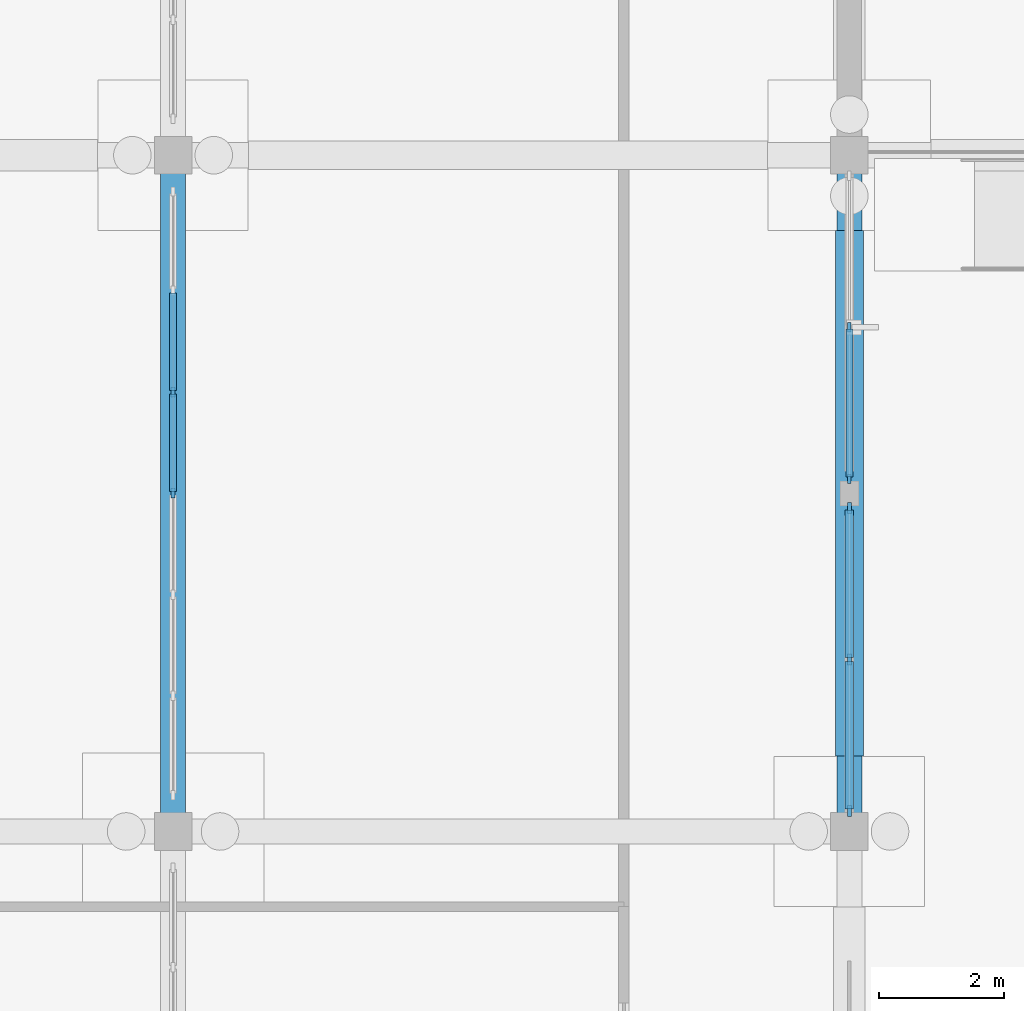
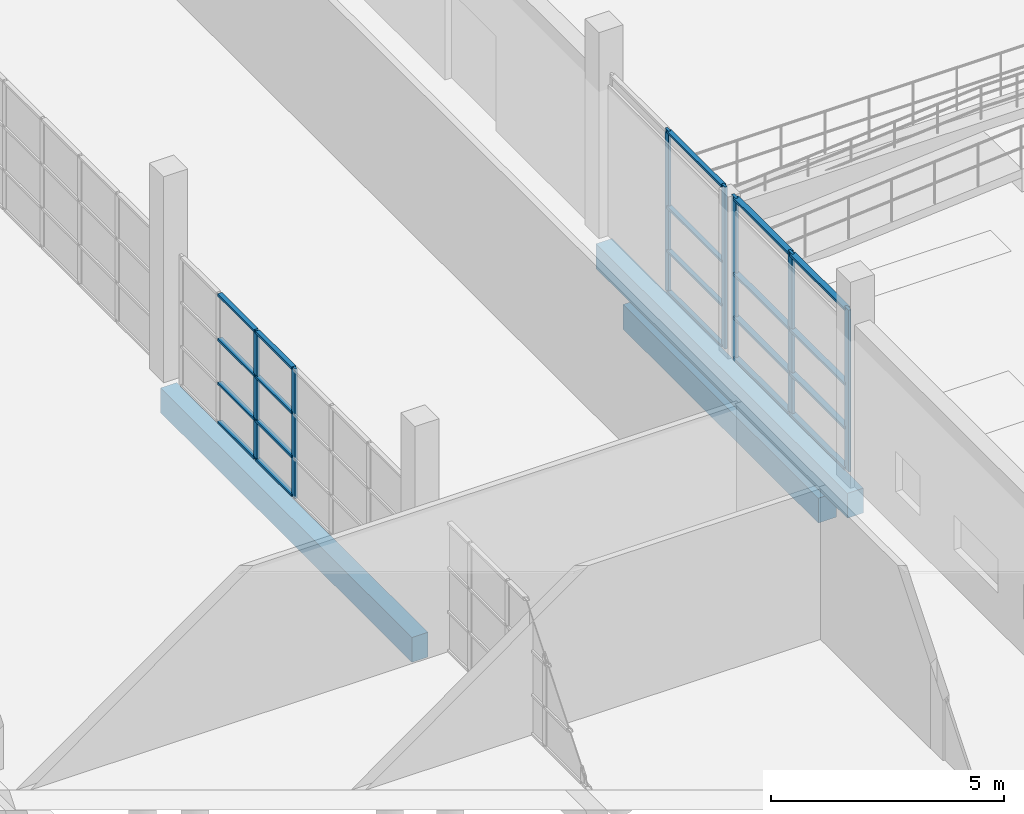
# One storey, part 21 of 138: 27 members, 3 beams, 3 elements without a shape of their own.
"""IFC4 building model written with IfcOpenShell, lengths in metres."""

from ifc_helpers import new_model, si_unit, direction, frame, origin, origin_2d, place, context, subcontext, project, spatial, rectangle, extrude, material, material_profile, profile_set, type_object, element, aggregate, save


model = new_model("IFC4")

# Units and contexts
model_context = context("Model", 3, precision=1e-05, world=origin(), true_north=direction((0.0, 1.0)))
body_context = subcontext(model_context, "Body", "Model", "MODEL_VIEW")
ifc_project = project(units=[si_unit("LENGTHUNIT", "METRE"), si_unit("AREAUNIT", "SQUARE_METRE"), si_unit("VOLUMEUNIT", "CUBIC_METRE"), si_unit("PLANEANGLEUNIT", "RADIAN"), si_unit("MASSUNIT", "GRAM", prefix="KILO")], contexts=[model_context])

# Site, building, storey
site_placement = place(None, origin())
site = spatial("IfcSite", under=ifc_project, at=site_placement, CompositionType="ELEMENT")
building_placement = place(site_placement, origin())
building = spatial("IfcBuilding", under=site, at=building_placement, Name="Zwinboog Wholesale Market", CompositionType="ELEMENT")
storey_placement = place(building_placement, origin())
storey = spatial("IfcBuildingStorey", under=building, at=storey_placement, Name="L00", CompositionType="ELEMENT", Elevation=0.0)

# Beams
ifc_material_1 = material(Name="Precast concrete C45/55", Category="concrete")
ifc_material_profile_1 = material_profile(ifc_material_1, rectangle(XDim=0.39990234375, YDim=0.64990234375, at=origin_2d()), Name="PC 400x650")
ifc_profile_set_1 = profile_set([ifc_material_profile_1], Name="Precast concrete C45/55")
beam_type_1 = type_object("IfcBeamType", Name="BT-05", PredefinedType="BEAM", material=ifc_profile_set_1)
for number, where, z_axis, x_axis, name in (
    (1, (32.39990234375, 21.60009765625, -0.675048828125), (0.0, 1.0, 0.0), (-1.0, 0.0, 0.0), "BG-05 (BMG-L00-0324-0216-0249)"),
    (2, (43.199951171875, 21.60009765625, -0.675048828125), (0.0, 1.0, 0.0), (-1.0, 0.0, 0.0), "BG-05 (BMG-L00-0432-0216-0261)"),
):
    element("IfcBeam", number, at=place(storey_placement, frame(where, z_axis=z_axis, x_axis=x_axis)), inside=storey, type_object=beam_type_1, Name=name, PredefinedType="BEAM", context=body_context, shape_type="SweptSolid", body=[
        extrude(rectangle(XDim=0.39990234375, YDim=0.64990234375, at=origin_2d()), origin(), (0.0, 0.0, 1.0), 10.7998046875),
    ])
ifc_material_2 = material(Name="Concrete C35/45", Category="concrete")
ifc_material_profile_2 = material_profile(ifc_material_2, rectangle(XDim=0.449951171875, YDim=0.64990234375, at=origin_2d()), Name="RC 450x650")
ifc_profile_set_2 = profile_set([ifc_material_profile_2], Name="Concrete C35/45")
beam_type_2 = type_object("IfcBeamType", Name="BT-13", PredefinedType="USERDEFINED", material=ifc_profile_set_2)
beam_placement = place(storey_placement, frame((43.199951171875, 22.804931640625, -1.52490234375), z_axis=(0.0, 1.0, 0.0), x_axis=(-1.0, 0.0, 0.0)))
element("IfcBeam", 3, at=beam_placement, inside=storey, type_object=beam_type_2, Name="GB-02 (BM-GB-0141)", ObjectType="GROUND_BEAM", PredefinedType="USERDEFINED", context=body_context, shape_type="SweptSolid", body=[
    extrude(rectangle(XDim=0.449951171875, YDim=0.64990234375, at=origin_2d()), origin(), (0.0, 0.0, 1.0), 8.39013671875),
])

# Curtain wall, members
ifc_material_3 = material(Name="Aluminium thermally broken curtain wall", Category="aluminium")
curtain_wall_type_1 = type_object("IfcCurtainWallType", Name="CWT-CAFE-22", PredefinedType="USERDEFINED", material=ifc_material_3)
curtain_wall_1_placement = place(storey_placement, origin())
curtain_wall_1 = element("IfcCurtainWall", 4, at=curtain_wall_1_placement, inside=storey, type_object=curtain_wall_type_1, Name="CW-05 (CW-L00-023)", ObjectType="STOREFRONT_GLAZING", PredefinedType="USERDEFINED")
ifc_material_4 = material(Name="Aluminium EN AW-6060", Category="aluminium")
ifc_material_profile_3 = material_profile(ifc_material_4, rectangle(XDim=0.06494140625, YDim=0.179931640625, at=origin_2d()), Name="AL 65x180")
ifc_profile_set_3 = profile_set([ifc_material_profile_3], Name="Aluminium EN AW-6060")
member_type_1 = type_object("IfcMemberType", Name="CWM-65x180", PredefinedType="MULLION", material=ifc_profile_set_3)
member_1_placement = place(storey_placement, frame((43.199951171875, 21.927490234375, 0.0), z_axis=(0.0, 0.0, 1.0), x_axis=(-1.0, 0.0, 0.0)))
member_1 = element("IfcMember", 5, at=member_1_placement, type_object=member_type_1, Name="CW-05 mullion 1", PredefinedType="MULLION", context=body_context, shape_type="SweptSolid", body=[
    extrude(rectangle(XDim=0.06494140625, YDim=0.179931640625, at=origin_2d()), origin(), (0.0, 0.0, 1.0), 4.25),
])
member_2_placement = place(storey_placement, frame((43.199951171875, 24.347412109375, 0.0), z_axis=(0.0, 0.0, 1.0), x_axis=(-1.0, 0.0, 0.0)))
member_2 = element("IfcMember", 6, at=member_2_placement, type_object=member_type_1, Name="CW-05 mullion 2", PredefinedType="MULLION", context=body_context, shape_type="SweptSolid", body=[
    extrude(rectangle(XDim=0.06494140625, YDim=0.179931640625, at=origin_2d()), origin(), (0.0, 0.0, 1.0), 4.25),
])
member_3_placement = place(storey_placement, frame((43.199951171875, 26.767578125, 0.0), z_axis=(0.0, 0.0, 1.0), x_axis=(-1.0, 0.0, 0.0)))
member_3 = element("IfcMember", 7, at=member_3_placement, type_object=member_type_1, Name="CW-05 mullion 3", PredefinedType="MULLION", context=body_context, shape_type="SweptSolid", body=[
    extrude(rectangle(XDim=0.06494140625, YDim=0.179931640625, at=origin_2d()), origin(), (0.0, 0.0, 1.0), 4.25),
])

curtain_wall_type_2 = type_object("IfcCurtainWallType", Name="CWT-OFF-15", PredefinedType="USERDEFINED", material=ifc_material_3)
curtain_wall_2_placement = place(storey_placement, origin())
curtain_wall_2 = element("IfcCurtainWall", 8, at=curtain_wall_2_placement, inside=storey, type_object=curtain_wall_type_2, Name="CW-06 (CW-L00-024)", ObjectType="UNITIZED_CURTAIN_WALL", PredefinedType="USERDEFINED")
ifc_material_profile_4 = material_profile(ifc_material_4, rectangle(XDim=0.06005859375, YDim=0.14990234375, at=origin_2d()), Name="AL 60x150")
ifc_profile_set_4 = profile_set([ifc_material_profile_4], Name="Aluminium EN AW-6060")
member_type_2 = type_object("IfcMemberType", Name="CWM-60x150", PredefinedType="MULLION", material=ifc_profile_set_4)
member_4_placement = place(storey_placement, frame((43.199951171875, 27.22998046875, 0.0), z_axis=(0.0, 0.0, 1.0), x_axis=(-1.0, 0.0, 0.0)))
member_4 = element("IfcMember", 9, at=member_4_placement, type_object=member_type_2, Name="CW-06 mullion 1", PredefinedType="MULLION", context=body_context, shape_type="SweptSolid", body=[
    extrude(rectangle(XDim=0.06005859375, YDim=0.14990234375, at=origin_2d()), origin(), (0.0, 0.0, 1.0), 4.25),
])
member_5_placement = place(storey_placement, frame((43.199951171875, 29.652587890625, 0.0), z_axis=(0.0, 0.0, 1.0), x_axis=(-1.0, 0.0, 0.0)))
member_5 = element("IfcMember", 10, at=member_5_placement, type_object=member_type_2, Name="CW-06 mullion 2", PredefinedType="MULLION", context=body_context, shape_type="SweptSolid", body=[
    extrude(rectangle(XDim=0.06005859375, YDim=0.14990234375, at=origin_2d()), origin(), (0.0, 0.0, 1.0), 4.25),
])

# Member
ifc_material_profile_5 = material_profile(ifc_material_4, rectangle(XDim=0.139892578125, YDim=0.06494140625, at=origin_2d()), Name="AL 65x140")
ifc_profile_set_5 = profile_set([ifc_material_profile_5], Name="Aluminium EN AW-6060")
member_type_3 = type_object("IfcMemberType", Name="CWT-65x140", PredefinedType="USERDEFINED", material=ifc_profile_set_5)
member_6_placement = place(storey_placement, frame((43.199951171875, 21.9599609375, 0.032470703125), z_axis=(0.0, 1.0, 0.0), x_axis=(-1.0, 0.0, 0.0)))
member_6 = element("IfcMember", 11, at=member_6_placement, type_object=member_type_3, Name="CW-05 transom 1.1", ObjectType="TRANSOM", PredefinedType="USERDEFINED", context=body_context, shape_type="SweptSolid", body=[
    extrude(rectangle(XDim=0.139892578125, YDim=0.06494140625, at=origin_2d()), origin(), (0.0, 0.0, 1.0), 2.35498046875),
])

member_7_placement = place(storey_placement, frame((43.199951171875, 21.9599609375, 1.10009765625), z_axis=(0.0, 1.0, 0.0), x_axis=(-1.0, 0.0, 0.0)))
member_7 = element("IfcMember", 12, at=member_7_placement, type_object=member_type_3, Name="CW-05 transom 1.2", ObjectType="TRANSOM", PredefinedType="USERDEFINED", context=body_context, shape_type="SweptSolid", body=[
    extrude(rectangle(XDim=0.139892578125, YDim=0.06494140625, at=origin_2d()), origin(), (0.0, 0.0, 1.0), 2.35498046875),
])

member_8_placement = place(storey_placement, frame((43.199951171875, 21.9599609375, 2.25), z_axis=(0.0, 1.0, 0.0), x_axis=(-1.0, 0.0, 0.0)))
member_8 = element("IfcMember", 13, at=member_8_placement, type_object=member_type_3, Name="CW-05 transom 1.3", ObjectType="TRANSOM", PredefinedType="USERDEFINED", context=body_context, shape_type="SweptSolid", body=[
    extrude(rectangle(XDim=0.139892578125, YDim=0.06494140625, at=origin_2d()), origin(), (0.0, 0.0, 1.0), 2.35498046875),
])

member_9_placement = place(storey_placement, frame((43.199951171875, 21.9599609375, 4.217529296875), z_axis=(0.0, 1.0, 0.0), x_axis=(-1.0, 0.0, 0.0)))
member_9 = element("IfcMember", 14, at=member_9_placement, type_object=member_type_3, Name="CW-05 transom 1.4", ObjectType="TRANSOM", PredefinedType="USERDEFINED", context=body_context, shape_type="SweptSolid", body=[
    extrude(rectangle(XDim=0.139892578125, YDim=0.06494140625, at=origin_2d()), origin(), (0.0, 0.0, 1.0), 2.35498046875),
])

member_10_placement = place(storey_placement, frame((43.199951171875, 24.3798828125, 0.032470703125), z_axis=(0.0, 1.0, 0.0), x_axis=(-1.0, 0.0, 0.0)))
member_10 = element("IfcMember", 15, at=member_10_placement, type_object=member_type_3, Name="CW-05 transom 2.1", ObjectType="TRANSOM", PredefinedType="USERDEFINED", context=body_context, shape_type="SweptSolid", body=[
    extrude(rectangle(XDim=0.139892578125, YDim=0.06494140625, at=origin_2d()), origin(), (0.0, 0.0, 1.0), 2.355224609375),
])

member_11_placement = place(storey_placement, frame((43.199951171875, 24.3798828125, 1.10009765625), z_axis=(0.0, 1.0, 0.0), x_axis=(-1.0, 0.0, 0.0)))
member_11 = element("IfcMember", 16, at=member_11_placement, type_object=member_type_3, Name="CW-05 transom 2.2", ObjectType="TRANSOM", PredefinedType="USERDEFINED", context=body_context, shape_type="SweptSolid", body=[
    extrude(rectangle(XDim=0.139892578125, YDim=0.06494140625, at=origin_2d()), origin(), (0.0, 0.0, 1.0), 2.355224609375),
])

member_12_placement = place(storey_placement, frame((43.199951171875, 24.3798828125, 2.25), z_axis=(0.0, 1.0, 0.0), x_axis=(-1.0, 0.0, 0.0)))
member_12 = element("IfcMember", 17, at=member_12_placement, type_object=member_type_3, Name="CW-05 transom 2.3", ObjectType="TRANSOM", PredefinedType="USERDEFINED", context=body_context, shape_type="SweptSolid", body=[
    extrude(rectangle(XDim=0.139892578125, YDim=0.06494140625, at=origin_2d()), origin(), (0.0, 0.0, 1.0), 2.355224609375),
])

member_13_placement = place(storey_placement, frame((43.199951171875, 24.3798828125, 4.217529296875), z_axis=(0.0, 1.0, 0.0), x_axis=(-1.0, 0.0, 0.0)))
member_13 = element("IfcMember", 18, at=member_13_placement, type_object=member_type_3, Name="CW-05 transom 2.4", ObjectType="TRANSOM", PredefinedType="USERDEFINED", context=body_context, shape_type="SweptSolid", body=[
    extrude(rectangle(XDim=0.139892578125, YDim=0.06494140625, at=origin_2d()), origin(), (0.0, 0.0, 1.0), 2.355224609375),
])

aggregate(curtain_wall_1, [member_1, member_2, member_3, member_6, member_7, member_8, member_9, member_10, member_11, member_12, member_13])

ifc_material_profile_6 = material_profile(ifc_material_4, rectangle(XDim=0.110107421875, YDim=0.06005859375, at=origin_2d()), Name="AL 60x110")
ifc_profile_set_6 = profile_set([ifc_material_profile_6], Name="Aluminium EN AW-6060")
member_type_4 = type_object("IfcMemberType", Name="CWT-60x110", PredefinedType="USERDEFINED", material=ifc_profile_set_6)
member_14_placement = place(storey_placement, frame((43.199951171875, 27.260009765625, 0.030029296875), z_axis=(0.0, 1.0, 0.0), x_axis=(-1.0, 0.0, 0.0)))
member_14 = element("IfcMember", 19, at=member_14_placement, type_object=member_type_4, Name="CW-06 transom 1.1", ObjectType="TRANSOM", PredefinedType="USERDEFINED", context=body_context, shape_type="SweptSolid", body=[
    extrude(rectangle(XDim=0.110107421875, YDim=0.06005859375, at=origin_2d()), origin(), (0.0, 0.0, 1.0), 2.362548828125),
])

member_15_placement = place(storey_placement, frame((43.199951171875, 27.260009765625, 1.10009765625), z_axis=(0.0, 1.0, 0.0), x_axis=(-1.0, 0.0, 0.0)))
member_15 = element("IfcMember", 20, at=member_15_placement, type_object=member_type_4, Name="CW-06 transom 1.2", ObjectType="TRANSOM", PredefinedType="USERDEFINED", context=body_context, shape_type="SweptSolid", body=[
    extrude(rectangle(XDim=0.110107421875, YDim=0.06005859375, at=origin_2d()), origin(), (0.0, 0.0, 1.0), 2.362548828125),
])

member_16_placement = place(storey_placement, frame((43.199951171875, 27.260009765625, 2.25), z_axis=(0.0, 1.0, 0.0), x_axis=(-1.0, 0.0, 0.0)))
member_16 = element("IfcMember", 21, at=member_16_placement, type_object=member_type_4, Name="CW-06 transom 1.3", ObjectType="TRANSOM", PredefinedType="USERDEFINED", context=body_context, shape_type="SweptSolid", body=[
    extrude(rectangle(XDim=0.110107421875, YDim=0.06005859375, at=origin_2d()), origin(), (0.0, 0.0, 1.0), 2.362548828125),
])

member_17_placement = place(storey_placement, frame((43.199951171875, 27.260009765625, 4.219970703125), z_axis=(0.0, 1.0, 0.0), x_axis=(-1.0, 0.0, 0.0)))
member_17 = element("IfcMember", 22, at=member_17_placement, type_object=member_type_4, Name="CW-06 transom 1.4", ObjectType="TRANSOM", PredefinedType="USERDEFINED", context=body_context, shape_type="SweptSolid", body=[
    extrude(rectangle(XDim=0.110107421875, YDim=0.06005859375, at=origin_2d()), origin(), (0.0, 0.0, 1.0), 2.362548828125),
])

aggregate(curtain_wall_2, [member_4, member_5, member_14, member_15, member_16, member_17])

# Curtain wall, members
curtain_wall_type_3 = type_object("IfcCurtainWallType", Name="CWT-INT-STALL", PredefinedType="USERDEFINED", material=ifc_material_3)
curtain_wall_3_placement = place(storey_placement, origin())
curtain_wall_3 = element("IfcCurtainWall", 23, at=curtain_wall_3_placement, inside=storey, type_object=curtain_wall_type_3, Name="CW-07 (CW-STL-219)", ObjectType="STOREFRONT_GLAZING", PredefinedType="USERDEFINED")
ifc_material_profile_7 = material_profile(ifc_material_4, rectangle(XDim=0.06005859375, YDim=0.14990234375, at=origin_2d()), Name="AL 60x150")
ifc_profile_set_7 = profile_set([ifc_material_profile_7], Name="Aluminium EN AW-6060")
member_type_5 = type_object("IfcMemberType", Name="CWM-INT-60x120", PredefinedType="MULLION", material=ifc_profile_set_7)
member_18_placement = place(storey_placement, frame((32.39990234375, 27.0, 0.0), z_axis=(0.0, 0.0, 1.0), x_axis=(-1.0, 0.0, 0.0)))
member_18 = element("IfcMember", 24, at=member_18_placement, type_object=member_type_5, Name="CW-07 mullion 4", PredefinedType="MULLION", context=body_context, shape_type="SweptSolid", body=[
    extrude(rectangle(XDim=0.06005859375, YDim=0.14990234375, at=origin_2d()), origin(), (0.0, 0.0, 1.0), 3.39990234375),
])
member_19_placement = place(storey_placement, frame((32.39990234375, 28.61669921875, 0.0), z_axis=(0.0, 0.0, 1.0), x_axis=(-1.0, 0.0, 0.0)))
member_19 = element("IfcMember", 25, at=member_19_placement, type_object=member_type_5, Name="CW-07 mullion 5", PredefinedType="MULLION", context=body_context, shape_type="SweptSolid", body=[
    extrude(rectangle(XDim=0.06005859375, YDim=0.14990234375, at=origin_2d()), origin(), (0.0, 0.0, 1.0), 3.39990234375),
])
ifc_material_profile_8 = material_profile(ifc_material_4, rectangle(XDim=0.110107421875, YDim=0.06005859375, at=origin_2d()), Name="AL 60x110")
ifc_profile_set_8 = profile_set([ifc_material_profile_8], Name="Aluminium EN AW-6060")
member_type_6 = type_object("IfcMemberType", Name="CWT-INT-60x100", PredefinedType="USERDEFINED", material=ifc_profile_set_8)
member_20_placement = place(storey_placement, frame((32.39990234375, 27.030029296875, 0.030029296875), z_axis=(0.0, 1.0, 0.0), x_axis=(-1.0, 0.0, 0.0)))
member_20 = element("IfcMember", 26, at=member_20_placement, type_object=member_type_6, Name="CW-07 transom 4.1", ObjectType="TRANSOM", PredefinedType="USERDEFINED", context=body_context, shape_type="SweptSolid", body=[
    extrude(rectangle(XDim=0.110107421875, YDim=0.06005859375, at=origin_2d()), origin(), (0.0, 0.0, 1.0), 1.556640625),
])
member_21_placement = place(storey_placement, frame((32.39990234375, 27.030029296875, 1.050048828125), z_axis=(0.0, 1.0, 0.0), x_axis=(-1.0, 0.0, 0.0)))
member_21 = element("IfcMember", 27, at=member_21_placement, type_object=member_type_6, Name="CW-07 transom 4.2", ObjectType="TRANSOM", PredefinedType="USERDEFINED", context=body_context, shape_type="SweptSolid", body=[
    extrude(rectangle(XDim=0.110107421875, YDim=0.06005859375, at=origin_2d()), origin(), (0.0, 0.0, 1.0), 1.556640625),
])
member_22_placement = place(storey_placement, frame((32.39990234375, 27.030029296875, 2.199951171875), z_axis=(0.0, 1.0, 0.0), x_axis=(-1.0, 0.0, 0.0)))
member_22 = element("IfcMember", 28, at=member_22_placement, type_object=member_type_6, Name="CW-07 transom 4.3", ObjectType="TRANSOM", PredefinedType="USERDEFINED", context=body_context, shape_type="SweptSolid", body=[
    extrude(rectangle(XDim=0.110107421875, YDim=0.06005859375, at=origin_2d()), origin(), (0.0, 0.0, 1.0), 1.556640625),
])
member_23_placement = place(storey_placement, frame((32.39990234375, 27.030029296875, 3.3701171875), z_axis=(0.0, 1.0, 0.0), x_axis=(-1.0, 0.0, 0.0)))
member_23 = element("IfcMember", 29, at=member_23_placement, type_object=member_type_6, Name="CW-07 transom 4.4", ObjectType="TRANSOM", PredefinedType="USERDEFINED", context=body_context, shape_type="SweptSolid", body=[
    extrude(rectangle(XDim=0.110107421875, YDim=0.06005859375, at=origin_2d()), origin(), (0.0, 0.0, 1.0), 1.556640625),
])
member_24_placement = place(storey_placement, frame((32.39990234375, 28.646728515625, 0.030029296875), z_axis=(0.0, 1.0, 0.0), x_axis=(-1.0, 0.0, 0.0)))
member_24 = element("IfcMember", 30, at=member_24_placement, type_object=member_type_6, Name="CW-07 transom 5.1", ObjectType="TRANSOM", PredefinedType="USERDEFINED", context=body_context, shape_type="SweptSolid", body=[
    extrude(rectangle(XDim=0.110107421875, YDim=0.06005859375, at=origin_2d()), origin(), (0.0, 0.0, 1.0), 1.556640625),
])
member_25_placement = place(storey_placement, frame((32.39990234375, 28.646728515625, 1.050048828125), z_axis=(0.0, 1.0, 0.0), x_axis=(-1.0, 0.0, 0.0)))
member_25 = element("IfcMember", 31, at=member_25_placement, type_object=member_type_6, Name="CW-07 transom 5.2", ObjectType="TRANSOM", PredefinedType="USERDEFINED", context=body_context, shape_type="SweptSolid", body=[
    extrude(rectangle(XDim=0.110107421875, YDim=0.06005859375, at=origin_2d()), origin(), (0.0, 0.0, 1.0), 1.556640625),
])
member_26_placement = place(storey_placement, frame((32.39990234375, 28.646728515625, 2.199951171875), z_axis=(0.0, 1.0, 0.0), x_axis=(-1.0, 0.0, 0.0)))
member_26 = element("IfcMember", 32, at=member_26_placement, type_object=member_type_6, Name="CW-07 transom 5.3", ObjectType="TRANSOM", PredefinedType="USERDEFINED", context=body_context, shape_type="SweptSolid", body=[
    extrude(rectangle(XDim=0.110107421875, YDim=0.06005859375, at=origin_2d()), origin(), (0.0, 0.0, 1.0), 1.556640625),
])
member_27_placement = place(storey_placement, frame((32.39990234375, 28.646728515625, 3.3701171875), z_axis=(0.0, 1.0, 0.0), x_axis=(-1.0, 0.0, 0.0)))
member_27 = element("IfcMember", 33, at=member_27_placement, type_object=member_type_6, Name="CW-07 transom 5.4", ObjectType="TRANSOM", PredefinedType="USERDEFINED", context=body_context, shape_type="SweptSolid", body=[
    extrude(rectangle(XDim=0.110107421875, YDim=0.06005859375, at=origin_2d()), origin(), (0.0, 0.0, 1.0), 1.556640625),
])
aggregate(curtain_wall_3, [member_18, member_19, member_20, member_21, member_22, member_23, member_24, member_25, member_26, member_27])

save(model, "model.ifc")
